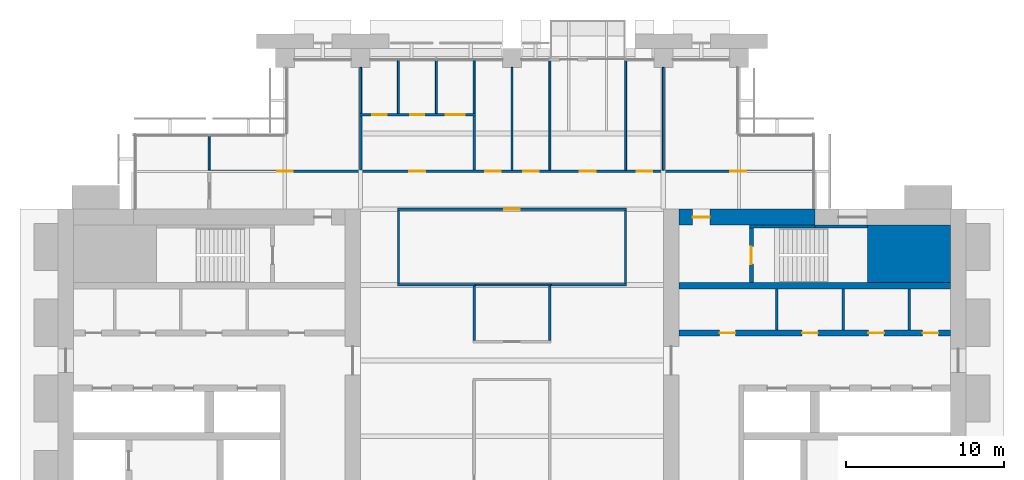
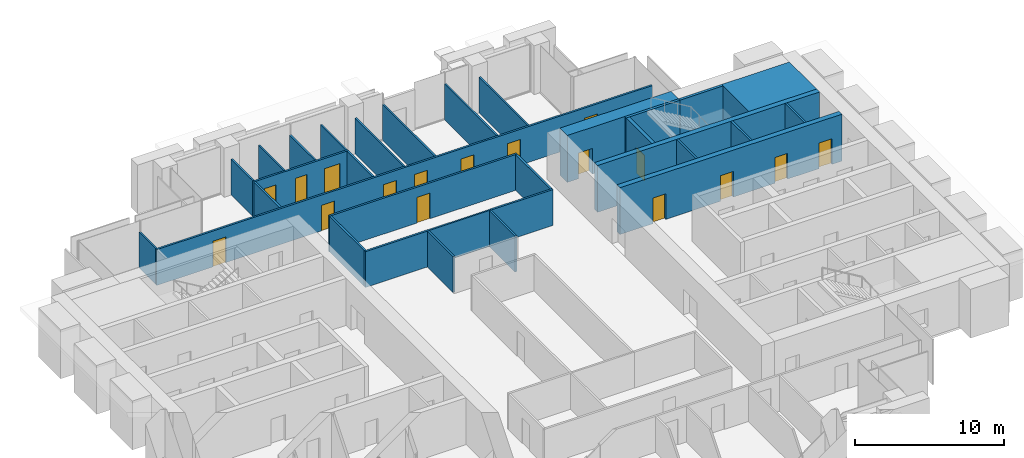
# One storey, part 12 of 15: 31 walls, 17 doors, 17 openings.
"""IFC4 building model written with IfcOpenShell, lengths in metres."""

from ifc_helpers import new_model, si_unit, direction, frame, frame_2d, origin, place, context, subcontext, project, spatial, rectangle, extrude, material, layer, layer_set, type_object, element, fill, save


model = new_model("IFC4")

# Units and contexts
model_context = context("Model", 3, precision=1e-05, world=origin(), true_north=direction((0.0, 1.0)))
body_context = subcontext(model_context, "Body", "Model", "MODEL_VIEW")
ifc_project = project(units=[si_unit("LENGTHUNIT", "METRE"), si_unit("AREAUNIT", "SQUARE_METRE"), si_unit("VOLUMEUNIT", "CUBIC_METRE"), si_unit("PLANEANGLEUNIT", "RADIAN"), si_unit("MASSUNIT", "GRAM", prefix="KILO")], contexts=[model_context])

# Site, building, storey
site_placement = place(None, origin())
site = spatial("IfcSite", under=ifc_project, at=site_placement, CompositionType="ELEMENT")
building_placement = place(site_placement, origin())
building = spatial("IfcBuilding", under=site, at=building_placement, Name="Baori Bourse Tower", CompositionType="ELEMENT")
storey_placement = place(building_placement, frame((0.0, 0.0, 164.10009765625)))
storey = spatial("IfcBuildingStorey", under=building, at=storey_placement, Name="L36", CompositionType="ELEMENT", Elevation=164.10009765625)

# Walls
ifc_material_1 = material(Name="Concrete f'c 60 MPa", Category="concrete")
wall_type_1 = type_object("IfcWallType", Name="Core corner block f'c 60", PredefinedType="SHEAR", material=ifc_material_1)
wall_1_placement = place(storey_placement, frame((51.35009765625, 35.574951171875, 0.0), z_axis=(0.0, 0.0, 1.0), x_axis=(1.0, 0.0, 0.0)))
element("IfcWall", 1, at=wall_1_placement, inside=storey, type_object=wall_type_1, Name="Core wall E27", PredefinedType="SHEAR", context=body_context, shape_type="SweptSolid", body=[
    extrude(rectangle(XDim=5.25, YDim=3.64990234375, at=frame_2d((2.625, 0.0))), origin(), (0.0, 0.0, 1.0), 3.83984375),
])
ifc_material_2 = material(Name="Blockwork partition", Category="masonry")
ifc_layer_1 = layer(ifc_material_2, 0.14990234375)
ifc_layer_set_1 = layer_set([ifc_layer_1], Name="Core partition 150")
wall_type_2 = type_object("IfcWallType", Name="Core partition 150", PredefinedType="PARTITIONING", material=ifc_layer_set_1)
for number, where, z_axis, x_axis, name in (
    (2, (54.0, 30.75, 0.0), (0.0, 0.0, 1.0), (0.0, 1.0, 0.0), "Partition wall E23"),
    (3, (49.800048828125, 30.75, 0.0), (0.0, 0.0, 1.0), (0.0, 1.0, 0.0), "Partition wall E24"),
    (4, (45.60009765625, 30.75, 0.0), (0.0, 0.0, 1.0), (0.0, 1.0, 0.0), "Partition wall E25"),
):
    element("IfcWall", number, at=place(storey_placement, frame(where, z_axis=z_axis, x_axis=x_axis)), inside=storey, type_object=wall_type_2, Name=name, PredefinedType="PARTITIONING", context=body_context, shape_type="SweptSolid", body=[
        extrude(rectangle(XDim=2.60009765625, YDim=0.14990234375, at=frame_2d((1.300048828125, 0.0))), origin(), (0.0, 0.0, 1.0), 3.83984375),
    ])

# Wall, opening, door
ifc_material_3 = material(Name="Concrete f'c 60 MPa", Category="concrete")
ifc_layer_2 = layer(ifc_material_3, 1.0)
ifc_layer_set_2 = layer_set([ifc_layer_2], Name="Core wall 1000 f'c 60")
wall_type_3 = type_object("IfcWallType", Name="Core wall 1000 f'c 60", PredefinedType="SHEAR", material=ifc_layer_set_2)
wall_2_placement = place(storey_placement, frame((39.39990234375, 37.89990234375, 0.0), z_axis=(0.0, 0.0, 1.0), x_axis=(1.0, 0.0, 0.0)))
wall_2 = element("IfcWall", 5, at=wall_2_placement, inside=storey, type_object=wall_type_3, Name="Core wall E32", PredefinedType="SHEAR", context=body_context, shape_type="SweptSolid", body=[
    extrude(rectangle(XDim=8.60009765625, YDim=1.0, at=frame_2d((4.300048828125, 0.0))), origin(), (0.0, 0.0, 1.0), 3.83984375),
])
opening_1_placement = place(wall_2_placement, frame((0.85009765625, 0.0, 0.0)))
opening_1 = element("IfcOpeningElement", 6, at=opening_1_placement, cuts=wall_2, Name="Opening L36-D204", PredefinedType="OPENING", context=body_context, shape_type="SweptSolid", body=[
    extrude(rectangle(XDim=1.10009765625, YDim=2.10009765625, at=frame_2d((0.550048828125, 1.050048828125))), frame((0.0, 0.510009765625, 0.0), z_axis=(0.0, -1.0, 0.0), x_axis=(1.0, 0.0, 0.0)), (0.0, 0.0, 1.0), 1.02001953125),
])
ifc_material_4 = material(Name="Painted steel door", Category="steel")
door_type_1 = type_object("IfcDoorType", Name="Stair door 1100", OperationType="SINGLE_SWING_LEFT", PredefinedType="DOOR", material=ifc_material_4)
door_1_placement = place(opening_1_placement, origin())
door_1 = element("IfcDoor", 7, at=door_1_placement, inside=storey, type_object=door_type_1, Name="Stair vestibule door B E L36", OperationType="SINGLE_SWING_LEFT", OverallHeight=2.10009765625, OverallWidth=1.10009765625, PredefinedType="DOOR", context=body_context, shape_type="SweptSolid", body=[
    extrude(rectangle(XDim=1.10009765625, YDim=2.10009765625, at=frame_2d((0.550048828125, 1.050048828125))), frame((0.0, 0.02490234375, 0.0), z_axis=(0.0, -1.0, 0.0), x_axis=(1.0, 0.0, 0.0)), (0.0, 0.0, 1.0), 0.050048828125),
])
fill(opening_1, door_1)

# Walls
ifc_material_5 = material(Name="Gypsum board partition")
ifc_layer_3 = layer(ifc_material_5, 0.14990234375)
ifc_layer_set_3 = layer_set([ifc_layer_3], Name="Corridor partition 150")
wall_type_4 = type_object("IfcWallType", Name="Corridor partition 150", PredefinedType="PARTITIONING", material=ifc_layer_set_3)
wall_3_placement = place(storey_placement, frame((21.52490234375, 33.60009765625, 0.0), z_axis=(0.0, 0.0, 1.0), x_axis=(1.0, 0.0, 0.0)))
element("IfcWall", 8, at=wall_3_placement, inside=storey, type_object=wall_type_4, Name="Partition", PredefinedType="PARTITIONING", context=body_context, shape_type="SweptSolid", body=[
    extrude(rectangle(XDim=4.9501953125, YDim=0.14990234375, at=frame_2d((2.47509765625, 0.0))), origin(), (0.0, 0.0, 1.0), 2.935546875),
])
wall_4_placement = place(storey_placement, frame((31.27490234375, 33.60009765625, 0.0), z_axis=(0.0, 0.0, 1.0), x_axis=(1.0, 0.0, 0.0)))
element("IfcWall", 9, at=wall_4_placement, inside=storey, type_object=wall_type_4, Name="Partition", PredefinedType="PARTITIONING", context=body_context, shape_type="SweptSolid", body=[
    extrude(rectangle(XDim=4.800048828125, YDim=0.14990234375, at=frame_2d((2.39990234375, 0.0))), origin(), (0.0, 0.0, 1.0), 2.935546875),
])

# Wall, opening, door
wall_5_placement = place(storey_placement, frame((21.52490234375, 38.39990234375, 0.0), z_axis=(0.0, 0.0, 1.0), x_axis=(1.0, 0.0, 0.0)))
wall_5 = element("IfcWall", 10, at=wall_5_placement, inside=storey, type_object=wall_type_4, Name="Partition", PredefinedType="PARTITIONING", context=body_context, shape_type="SweptSolid", body=[
    extrude(rectangle(XDim=14.550048828125, YDim=0.14990234375, at=frame_2d((7.27490234375, 0.0))), origin(), (0.0, 0.0, 1.0), 2.935546875),
])
opening_2_placement = place(wall_5_placement, frame((6.77490234375, 0.0, 0.0)))
opening_2 = element("IfcOpeningElement", 11, at=opening_2_placement, cuts=wall_5, Name="Opening L36-D09", PredefinedType="OPENING", context=body_context, shape_type="SweptSolid", body=[
    extrude(rectangle(XDim=1.0, YDim=2.10009765625, at=frame_2d((0.5, 1.050048828125))), frame((0.0, 0.0849609375, 0.0), z_axis=(0.0, -1.0, 0.0), x_axis=(1.0, 0.0, 0.0)), (0.0, 0.0, 1.0), 0.169921875),
])
ifc_material_6 = material(Name="Timber door leaf", Category="wood")
door_type_2 = type_object("IfcDoorType", Name="Door 1000 x 2100", OperationType="SINGLE_SWING_LEFT", PredefinedType="DOOR", material=ifc_material_6)
door_2_placement = place(opening_2_placement, origin())
door_2 = element("IfcDoor", 12, at=door_2_placement, inside=storey, type_object=door_type_2, Name="Door", OperationType="SINGLE_SWING_LEFT", OverallHeight=2.10009765625, OverallWidth=1.0, PredefinedType="DOOR", context=body_context, shape_type="SweptSolid", body=[
    extrude(rectangle(XDim=1.0, YDim=2.10009765625, at=frame_2d((0.5, 1.050048828125))), frame((0.0, 0.02490234375, 0.0), z_axis=(0.0, -1.0, 0.0), x_axis=(1.0, 0.0, 0.0)), (0.0, 0.0, 1.0), 0.050048828125),
])
fill(opening_2, door_2)

# Wall, openings, doors
wall_6_placement = place(storey_placement, frame((9.52490234375, 40.800048828125, 0.0), z_axis=(0.0, 0.0, 1.0), x_axis=(1.0, 0.0, 0.0)))
wall_6 = element("IfcWall", 13, at=wall_6_placement, inside=storey, type_object=wall_type_4, Name="Partition", PredefinedType="PARTITIONING", context=body_context, shape_type="SweptSolid", body=[
    extrude(rectangle(XDim=38.375, YDim=0.14990234375, at=frame_2d((19.1875, 0.0))), origin(), (0.0, 0.0, 1.0), 2.935546875),
])
opening_3_placement = place(wall_6_placement, frame((4.375, 0.0, 0.0)))
opening_3 = element("IfcOpeningElement", 14, at=opening_3_placement, cuts=wall_6, Name="Opening L36-D10", PredefinedType="OPENING", context=body_context, shape_type="SweptSolid", body=[
    extrude(rectangle(XDim=1.0, YDim=2.10009765625, at=frame_2d((0.5, 1.050048828125))), frame((0.0, 0.0849609375, 0.0), z_axis=(0.0, -1.0, 0.0), x_axis=(1.0, 0.0, 0.0)), (0.0, 0.0, 1.0), 0.169921875),
])
opening_4_placement = place(wall_6_placement, frame((12.77490234375, 0.0, 0.0)))
opening_4 = element("IfcOpeningElement", 15, at=opening_4_placement, cuts=wall_6, Name="Opening L36-D11", PredefinedType="OPENING", context=body_context, shape_type="SweptSolid", body=[
    extrude(rectangle(XDim=1.0, YDim=2.10009765625, at=frame_2d((0.5, 1.050048828125))), frame((0.0, 0.0849609375, 0.0), z_axis=(0.0, -1.0, 0.0), x_axis=(1.0, 0.0, 0.0)), (0.0, 0.0, 1.0), 0.169921875),
])
opening_5_placement = place(wall_6_placement, frame((17.574951171875, 0.0, 0.0)))
opening_5 = element("IfcOpeningElement", 16, at=opening_5_placement, cuts=wall_6, Name="Opening L36-D12", PredefinedType="OPENING", context=body_context, shape_type="SweptSolid", body=[
    extrude(rectangle(XDim=1.0, YDim=2.10009765625, at=frame_2d((0.5, 1.050048828125))), frame((0.0, 0.0849609375, 0.0), z_axis=(0.0, -1.0, 0.0), x_axis=(1.0, 0.0, 0.0)), (0.0, 0.0, 1.0), 0.169921875),
])
opening_6_placement = place(wall_6_placement, frame((19.97509765625, 0.0, 0.0)))
opening_6 = element("IfcOpeningElement", 17, at=opening_6_placement, cuts=wall_6, Name="Opening L36-D13", PredefinedType="OPENING", context=body_context, shape_type="SweptSolid", body=[
    extrude(rectangle(XDim=1.0, YDim=2.10009765625, at=frame_2d((0.5, 1.050048828125))), frame((0.0, 0.0849609375, 0.0), z_axis=(0.0, -1.0, 0.0), x_axis=(1.0, 0.0, 0.0)), (0.0, 0.0, 1.0), 0.169921875),
])
opening_7_placement = place(wall_6_placement, frame((23.574951171875, 0.0, 0.0)))
opening_7 = element("IfcOpeningElement", 18, at=opening_7_placement, cuts=wall_6, Name="Opening L36-D14", PredefinedType="OPENING", context=body_context, shape_type="SweptSolid", body=[
    extrude(rectangle(XDim=1.0, YDim=2.10009765625, at=frame_2d((0.5, 1.050048828125))), frame((0.0, 0.0849609375, 0.0), z_axis=(0.0, -1.0, 0.0), x_axis=(1.0, 0.0, 0.0)), (0.0, 0.0, 1.0), 0.169921875),
])
opening_8_placement = place(wall_6_placement, frame((27.175048828125, 0.0, 0.0)))
opening_8 = element("IfcOpeningElement", 19, at=opening_8_placement, cuts=wall_6, Name="Opening L36-D15", PredefinedType="OPENING", context=body_context, shape_type="SweptSolid", body=[
    extrude(rectangle(XDim=1.0, YDim=2.10009765625, at=frame_2d((0.5, 1.050048828125))), frame((0.0, 0.0849609375, 0.0), z_axis=(0.0, -1.0, 0.0), x_axis=(1.0, 0.0, 0.0)), (0.0, 0.0, 1.0), 0.169921875),
])
opening_9_placement = place(wall_6_placement, frame((33.125, 0.0, 0.0)))
opening_9 = element("IfcOpeningElement", 20, at=opening_9_placement, cuts=wall_6, Name="Opening L36-D16", PredefinedType="OPENING", context=body_context, shape_type="SweptSolid", body=[
    extrude(rectangle(XDim=1.0, YDim=2.10009765625, at=frame_2d((0.5, 1.050048828125))), frame((0.0, 0.0849609375, 0.0), z_axis=(0.0, -1.0, 0.0), x_axis=(1.0, 0.0, 0.0)), (0.0, 0.0, 1.0), 0.169921875),
])
door_3_placement = place(opening_3_placement, origin())
door_3 = element("IfcDoor", 21, at=door_3_placement, inside=storey, type_object=door_type_2, Name="Door", OperationType="SINGLE_SWING_RIGHT", OverallHeight=2.10009765625, OverallWidth=1.0, PredefinedType="DOOR", context=body_context, shape_type="SweptSolid", body=[
    extrude(rectangle(XDim=1.0, YDim=2.10009765625, at=frame_2d((0.5, 1.050048828125))), frame((0.0, 0.02490234375, 0.0), z_axis=(0.0, -1.0, 0.0), x_axis=(1.0, 0.0, 0.0)), (0.0, 0.0, 1.0), 0.050048828125),
])
fill(opening_3, door_3)
door_4_placement = place(opening_4_placement, origin())
door_4 = element("IfcDoor", 22, at=door_4_placement, inside=storey, type_object=door_type_2, Name="Door", OperationType="SINGLE_SWING_LEFT", OverallHeight=2.10009765625, OverallWidth=1.0, PredefinedType="DOOR", context=body_context, shape_type="SweptSolid", body=[
    extrude(rectangle(XDim=1.0, YDim=2.10009765625, at=frame_2d((0.5, 1.050048828125))), frame((0.0, 0.02490234375, 0.0), z_axis=(0.0, -1.0, 0.0), x_axis=(1.0, 0.0, 0.0)), (0.0, 0.0, 1.0), 0.050048828125),
])
fill(opening_4, door_4)
door_5_placement = place(opening_5_placement, origin())
door_5 = element("IfcDoor", 23, at=door_5_placement, inside=storey, type_object=door_type_2, Name="Door", OperationType="SINGLE_SWING_RIGHT", OverallHeight=2.10009765625, OverallWidth=1.0, PredefinedType="DOOR", context=body_context, shape_type="SweptSolid", body=[
    extrude(rectangle(XDim=1.0, YDim=2.10009765625, at=frame_2d((0.5, 1.050048828125))), frame((0.0, 0.02490234375, 0.0), z_axis=(0.0, -1.0, 0.0), x_axis=(1.0, 0.0, 0.0)), (0.0, 0.0, 1.0), 0.050048828125),
])
fill(opening_5, door_5)
door_6_placement = place(opening_6_placement, origin())
door_6 = element("IfcDoor", 24, at=door_6_placement, inside=storey, type_object=door_type_2, Name="Door", OperationType="SINGLE_SWING_LEFT", OverallHeight=2.10009765625, OverallWidth=1.0, PredefinedType="DOOR", context=body_context, shape_type="SweptSolid", body=[
    extrude(rectangle(XDim=1.0, YDim=2.10009765625, at=frame_2d((0.5, 1.050048828125))), frame((0.0, 0.02490234375, 0.0), z_axis=(0.0, -1.0, 0.0), x_axis=(1.0, 0.0, 0.0)), (0.0, 0.0, 1.0), 0.050048828125),
])
fill(opening_6, door_6)
door_7_placement = place(opening_7_placement, origin())
door_7 = element("IfcDoor", 25, at=door_7_placement, inside=storey, type_object=door_type_2, Name="Door", OperationType="SINGLE_SWING_LEFT", OverallHeight=2.10009765625, OverallWidth=1.0, PredefinedType="DOOR", context=body_context, shape_type="SweptSolid", body=[
    extrude(rectangle(XDim=1.0, YDim=2.10009765625, at=frame_2d((0.5, 1.050048828125))), frame((0.0, 0.02490234375, 0.0), z_axis=(0.0, -1.0, 0.0), x_axis=(1.0, 0.0, 0.0)), (0.0, 0.0, 1.0), 0.050048828125),
])
fill(opening_7, door_7)
door_8_placement = place(opening_8_placement, origin())
door_8 = element("IfcDoor", 26, at=door_8_placement, inside=storey, type_object=door_type_2, Name="Door", OperationType="SINGLE_SWING_LEFT", OverallHeight=2.10009765625, OverallWidth=1.0, PredefinedType="DOOR", context=body_context, shape_type="SweptSolid", body=[
    extrude(rectangle(XDim=1.0, YDim=2.10009765625, at=frame_2d((0.5, 1.050048828125))), frame((0.0, 0.02490234375, 0.0), z_axis=(0.0, -1.0, 0.0), x_axis=(1.0, 0.0, 0.0)), (0.0, 0.0, 1.0), 0.050048828125),
])
fill(opening_8, door_8)
door_9_placement = place(opening_9_placement, origin())
door_9 = element("IfcDoor", 27, at=door_9_placement, inside=storey, type_object=door_type_2, Name="Door", OperationType="SINGLE_SWING_LEFT", OverallHeight=2.10009765625, OverallWidth=1.0, PredefinedType="DOOR", context=body_context, shape_type="SweptSolid", body=[
    extrude(rectangle(XDim=1.0, YDim=2.10009765625, at=frame_2d((0.5, 1.050048828125))), frame((0.0, 0.02490234375, 0.0), z_axis=(0.0, -1.0, 0.0), x_axis=(1.0, 0.0, 0.0)), (0.0, 0.0, 1.0), 0.050048828125),
])
fill(opening_9, door_9)

wall_7_placement = place(storey_placement, frame((19.125, 44.39990234375, 0.0), z_axis=(0.0, 0.0, 1.0), x_axis=(1.0, 0.0, 0.0)))
wall_7 = element("IfcWall", 28, at=wall_7_placement, inside=storey, type_object=wall_type_4, Name="Partition", PredefinedType="PARTITIONING", context=body_context, shape_type="SweptSolid", body=[
    extrude(rectangle(XDim=7.35009765625, YDim=0.14990234375, at=frame_2d((3.675048828125, 0.0))), origin(), (0.0, 0.0, 1.0), 2.935546875),
])
opening_10_placement = place(wall_7_placement, frame((0.824951171875, 0.0, 0.0)))
opening_10 = element("IfcOpeningElement", 29, at=opening_10_placement, cuts=wall_7, Name="Opening L36-D17", PredefinedType="OPENING", context=body_context, shape_type="SweptSolid", body=[
    extrude(rectangle(XDim=0.89990234375, YDim=2.10009765625, at=frame_2d((0.449951171875, 1.050048828125))), frame((0.0, 0.0849609375, 0.0), z_axis=(0.0, -1.0, 0.0), x_axis=(1.0, 0.0, 0.0)), (0.0, 0.0, 1.0), 0.169921875),
])
opening_11_placement = place(wall_7_placement, frame((3.22509765625, 0.0, 0.0)))
opening_11 = element("IfcOpeningElement", 30, at=opening_11_placement, cuts=wall_7, Name="Opening L36-D18", PredefinedType="OPENING", context=body_context, shape_type="SweptSolid", body=[
    extrude(rectangle(XDim=0.89990234375, YDim=2.10009765625, at=frame_2d((0.449951171875, 1.050048828125))), frame((0.0, 0.0849609375, 0.0), z_axis=(0.0, -1.0, 0.0), x_axis=(1.0, 0.0, 0.0)), (0.0, 0.0, 1.0), 0.169921875),
])
opening_12_placement = place(wall_7_placement, frame((5.47509765625, 0.0, 0.0)))
opening_12 = element("IfcOpeningElement", 31, at=opening_12_placement, cuts=wall_7, Name="Opening L36-D19", PredefinedType="OPENING", context=body_context, shape_type="SweptSolid", body=[
    extrude(rectangle(XDim=1.199951171875, YDim=2.10009765625, at=frame_2d((0.60009765625, 1.050048828125))), frame((0.0, 0.0849609375, 0.0), z_axis=(0.0, -1.0, 0.0), x_axis=(1.0, 0.0, 0.0)), (0.0, 0.0, 1.0), 0.169921875),
])
ifc_material_7 = material(Name="Timber door leaf", Category="wood")
door_type_3 = type_object("IfcDoorType", Name="Door 1200 x 2100", OperationType="SINGLE_SWING_LEFT", PredefinedType="DOOR", material=ifc_material_7)
door_10_placement = place(opening_12_placement, origin())
door_10 = element("IfcDoor", 32, at=door_10_placement, inside=storey, type_object=door_type_3, Name="Door", OperationType="SINGLE_SWING_LEFT", OverallHeight=2.10009765625, OverallWidth=1.199951171875, PredefinedType="DOOR", context=body_context, shape_type="SweptSolid", body=[
    extrude(rectangle(XDim=1.199951171875, YDim=2.10009765625, at=frame_2d((0.60009765625, 1.050048828125))), frame((0.0, 0.02490234375, 0.0), z_axis=(0.0, -1.0, 0.0), x_axis=(1.0, 0.0, 0.0)), (0.0, 0.0, 1.0), 0.050048828125),
])
fill(opening_12, door_10)
ifc_material_8 = material(Name="Timber door leaf", Category="wood")
door_type_4 = type_object("IfcDoorType", Name="Door 900 x 2100", OperationType="SINGLE_SWING_LEFT", PredefinedType="DOOR", material=ifc_material_8)
door_11_placement = place(opening_10_placement, origin())
door_11 = element("IfcDoor", 33, at=door_11_placement, inside=storey, type_object=door_type_4, Name="Door", OperationType="SINGLE_SWING_RIGHT", OverallHeight=2.10009765625, OverallWidth=0.89990234375, PredefinedType="DOOR", context=body_context, shape_type="SweptSolid", body=[
    extrude(rectangle(XDim=0.89990234375, YDim=2.10009765625, at=frame_2d((0.449951171875, 1.050048828125))), frame((0.0, 0.02490234375, 0.0), z_axis=(0.0, -1.0, 0.0), x_axis=(1.0, 0.0, 0.0)), (0.0, 0.0, 1.0), 0.050048828125),
])
fill(opening_10, door_11)
door_12_placement = place(opening_11_placement, origin())
door_12 = element("IfcDoor", 34, at=door_12_placement, inside=storey, type_object=door_type_4, Name="Door", OperationType="SINGLE_SWING_RIGHT", OverallHeight=2.10009765625, OverallWidth=0.89990234375, PredefinedType="DOOR", context=body_context, shape_type="SweptSolid", body=[
    extrude(rectangle(XDim=0.89990234375, YDim=2.10009765625, at=frame_2d((0.449951171875, 1.050048828125))), frame((0.0, 0.02490234375, 0.0), z_axis=(0.0, -1.0, 0.0), x_axis=(1.0, 0.0, 0.0)), (0.0, 0.0, 1.0), 0.050048828125),
])
fill(opening_11, door_12)

# Walls
wall_8_placement = place(storey_placement, frame((19.199951171875, 40.875, 0.0), z_axis=(0.0, 0.0, 1.0), x_axis=(0.0, 1.0, 0.0)))
element("IfcWall", 35, at=wall_8_placement, inside=storey, type_object=wall_type_4, Name="Partition", PredefinedType="PARTITIONING", context=body_context, shape_type="SweptSolid", body=[
    extrude(rectangle(XDim=3.449951171875, YDim=0.14990234375, at=frame_2d((1.72509765625, 0.0))), origin(), (0.0, 0.0, 1.0), 2.935546875),
])
wall_9_placement = place(storey_placement, frame((21.60009765625, 33.675048828125, 0.0), z_axis=(0.0, 0.0, 1.0), x_axis=(0.0, 1.0, 0.0)))
element("IfcWall", 36, at=wall_9_placement, inside=storey, type_object=wall_type_4, Name="Partition", PredefinedType="PARTITIONING", context=body_context, shape_type="SweptSolid", body=[
    extrude(rectangle(XDim=4.64990234375, YDim=0.14990234375, at=frame_2d((2.324951171875, 0.0))), origin(), (0.0, 0.0, 1.0), 2.935546875),
])
for number, where, z_axis, x_axis, name in (
    (37, (26.39990234375, 30.074951171875, 0.0), (0.0, 0.0, 1.0), (0.0, 1.0, 0.0), "Partition"),
    (38, (26.39990234375, 40.875, 0.0), (0.0, 0.0, 1.0), (0.0, 1.0, 0.0), "Partition"),
    (39, (31.199951171875, 30.074951171875, 0.0), (0.0, 0.0, 1.0), (0.0, 1.0, 0.0), "Partition"),
):
    element("IfcWall", number, at=place(storey_placement, frame(where, z_axis=z_axis, x_axis=x_axis)), inside=storey, type_object=wall_type_4, Name=name, PredefinedType="PARTITIONING", context=body_context, shape_type="SweptSolid", body=[
        extrude(rectangle(XDim=3.449951171875, YDim=0.14990234375, at=frame_2d((1.72509765625, 0.0))), origin(), (0.0, 0.0, 1.0), 2.935546875),
    ])
wall_10_placement = place(storey_placement, frame((36.0, 33.675048828125, 0.0), z_axis=(0.0, 0.0, 1.0), x_axis=(0.0, 1.0, 0.0)))
element("IfcWall", 40, at=wall_10_placement, inside=storey, type_object=wall_type_4, Name="Partition", PredefinedType="PARTITIONING", context=body_context, shape_type="SweptSolid", body=[
    extrude(rectangle(XDim=4.64990234375, YDim=0.14990234375, at=frame_2d((2.324951171875, 0.0))), origin(), (0.0, 0.0, 1.0), 2.935546875),
])
ifc_material_9 = material(Name="Gypsum board partition")
ifc_layer_4 = layer(ifc_material_9, 0.125)
ifc_layer_set_4 = layer_set([ifc_layer_4], Name="Partition 125")
wall_type_5 = type_object("IfcWallType", Name="Partition 125", PredefinedType="PARTITIONING", material=ifc_layer_set_4)
wall_11_placement = place(storey_placement, frame((26.47509765625, 33.60009765625, 0.0), z_axis=(0.0, 0.0, 1.0), x_axis=(1.0, 0.0, 0.0)))
element("IfcWall", 41, at=wall_11_placement, inside=storey, type_object=wall_type_5, Name="Partition", PredefinedType="PARTITIONING", context=body_context, shape_type="SweptSolid", body=[
    extrude(rectangle(XDim=4.7998046875, YDim=0.125, at=frame_2d((2.39990234375, 0.0))), origin(), (0.0, 0.0, 1.0), 2.935546875),
])
wall_12_placement = place(storey_placement, frame((9.60009765625, 40.875, 0.0), z_axis=(0.0, 0.0, 1.0), x_axis=(0.0, 1.0, 0.0)))
element("IfcWall", 42, at=wall_12_placement, inside=storey, type_object=wall_type_5, Name="Partition", PredefinedType="PARTITIONING", context=body_context, shape_type="SweptSolid", body=[
    extrude(rectangle(XDim=2.22509765625, YDim=0.125, at=frame_2d((1.112548828125, 0.0))), origin(), (0.0, 0.0, 1.0), 2.935546875),
])
wall_13_placement = place(storey_placement, frame((19.199951171875, 44.47509765625, 0.0), z_axis=(0.0, 0.0, 1.0), x_axis=(0.0, 1.0, 0.0)))
element("IfcWall", 43, at=wall_13_placement, inside=storey, type_object=wall_type_5, Name="Partition", PredefinedType="PARTITIONING", context=body_context, shape_type="SweptSolid", body=[
    extrude(rectangle(XDim=2.9248046875, YDim=0.125, at=frame_2d((1.46240234375, 0.0))), origin(), (0.0, 0.0, 1.0), 2.935546875),
])
for number, where, z_axis, x_axis, name in (
    (44, (21.60009765625, 44.47509765625, 0.0), (0.0, 0.0, 1.0), (0.0, 1.0, 0.0), "Partition"),
    (45, (24.0, 44.47509765625, 0.0), (0.0, 0.0, 1.0), (0.0, 1.0, 0.0), "Partition"),
    (46, (26.39990234375, 44.47509765625, 0.0), (0.0, 0.0, 1.0), (0.0, 1.0, 0.0), "Partition"),
):
    element("IfcWall", number, at=place(storey_placement, frame(where, z_axis=z_axis, x_axis=x_axis)), inside=storey, type_object=wall_type_5, Name=name, PredefinedType="PARTITIONING", context=body_context, shape_type="SweptSolid", body=[
        extrude(rectangle(XDim=3.4248046875, YDim=0.125, at=frame_2d((1.71240234375, 0.0))), origin(), (0.0, 0.0, 1.0), 2.935546875),
    ])
wall_14_placement = place(storey_placement, frame((28.800048828125, 40.875, 0.0), z_axis=(0.0, 0.0, 1.0), x_axis=(0.0, 1.0, 0.0)))
element("IfcWall", 47, at=wall_14_placement, inside=storey, type_object=wall_type_5, Name="Partition", PredefinedType="PARTITIONING", context=body_context, shape_type="SweptSolid", body=[
    extrude(rectangle(XDim=6.52490234375, YDim=0.125, at=frame_2d((3.262451171875, 0.0))), origin(), (0.0, 0.0, 1.0), 2.935546875),
])
for number, where, z_axis, x_axis, name in (
    (48, (31.199951171875, 40.875, 0.0), (0.0, 0.0, 1.0), (0.0, 1.0, 0.0), "Partition"),
    (49, (36.0, 40.875, 0.0), (0.0, 0.0, 1.0), (0.0, 1.0, 0.0), "Partition"),
):
    element("IfcWall", number, at=place(storey_placement, frame(where, z_axis=z_axis, x_axis=x_axis)), inside=storey, type_object=wall_type_5, Name=name, PredefinedType="PARTITIONING", context=body_context, shape_type="SweptSolid", body=[
        extrude(rectangle(XDim=7.02490234375, YDim=0.125, at=frame_2d((3.512451171875, 0.0))), origin(), (0.0, 0.0, 1.0), 2.935546875),
    ])
wall_15_placement = place(storey_placement, frame((38.39990234375, 40.875, 0.0), z_axis=(0.0, 0.0, 1.0), x_axis=(0.0, 1.0, 0.0)))
element("IfcWall", 50, at=wall_15_placement, inside=storey, type_object=wall_type_5, Name="Partition", PredefinedType="PARTITIONING", context=body_context, shape_type="SweptSolid", body=[
    extrude(rectangle(XDim=6.52490234375, YDim=0.125, at=frame_2d((3.262451171875, 0.0))), origin(), (0.0, 0.0, 1.0), 2.935546875),
])
ifc_material_10 = material(Name="Concrete f'c 60 MPa", Category="concrete")
ifc_layer_5 = layer(ifc_material_10, 0.199951171875)
ifc_layer_set_5 = layer_set([ifc_layer_5], Name="Shaft wall 200 f'c 60")
wall_type_6 = type_object("IfcWallType", Name="Shaft wall 200 f'c 60", PredefinedType="SHEAR", material=ifc_layer_set_5)
wall_16_placement = place(storey_placement, frame((48.0, 37.300048828125, 0.0), z_axis=(0.0, 0.0, 1.0), x_axis=(1.0, 0.0, 0.0)))
element("IfcWall", 51, at=wall_16_placement, inside=storey, type_object=wall_type_6, Name="Core wall E29", PredefinedType="SHEAR", context=body_context, shape_type="SweptSolid", body=[
    extrude(rectangle(XDim=3.35009765625, YDim=0.199951171875, at=frame_2d((1.675048828125, 0.0))), origin(), (0.0, 0.0, 1.0), 3.83984375),
])
wall_17_placement = place(storey_placement, frame((43.85009765625, 37.300048828125, 0.0), z_axis=(0.0, 0.0, 1.0), x_axis=(1.0, 0.0, 0.0)))
element("IfcWall", 52, at=wall_17_placement, inside=storey, type_object=wall_type_6, Name="Core wall E30", PredefinedType="SHEAR", context=body_context, shape_type="SweptSolid", body=[
    extrude(rectangle(XDim=4.14990234375, YDim=0.199951171875, at=frame_2d((2.074951171875, 0.0))), origin(), (0.0, 0.0, 1.0), 3.83984375),
])

# Wall, opening, door
ifc_material_11 = material(Name="Concrete f'c 60 MPa", Category="concrete")
ifc_layer_6 = layer(ifc_material_11, 0.25)
ifc_layer_set_6 = layer_set([ifc_layer_6], Name="Shaft wall 250 f'c 60")
wall_type_7 = type_object("IfcWallType", Name="Shaft wall 250 f'c 60", PredefinedType="SHEAR", material=ifc_layer_set_6)
wall_18_placement = place(storey_placement, frame((43.97509765625, 33.75, 0.0), z_axis=(0.0, 0.0, 1.0), x_axis=(0.0, 1.0, 0.0)))
wall_18 = element("IfcWall", 53, at=wall_18_placement, inside=storey, type_object=wall_type_7, Name="Core wall E28", PredefinedType="SHEAR", context=body_context, shape_type="SweptSolid", body=[
    extrude(rectangle(XDim=3.449951171875, YDim=0.25, at=frame_2d((1.72509765625, 0.0))), origin(), (0.0, 0.0, 1.0), 3.83984375),
])
opening_13_placement = place(wall_18_placement, frame((1.175048828125, 0.0, 0.0)))
opening_13 = element("IfcOpeningElement", 54, at=opening_13_placement, cuts=wall_18, Name="Opening L36-D203", PredefinedType="OPENING", context=body_context, shape_type="SweptSolid", body=[
    extrude(rectangle(XDim=1.10009765625, YDim=2.10009765625, at=frame_2d((0.550048828125, 1.050048828125))), frame((0.0, 0.135009765625, 0.0), z_axis=(0.0, -1.0, 0.0), x_axis=(1.0, 0.0, 0.0)), (0.0, 0.0, 1.0), 0.27001953125),
])
door_13_placement = place(opening_13_placement, origin())
door_13 = element("IfcDoor", 55, at=door_13_placement, inside=storey, type_object=door_type_1, Name="Stair door B E L36", OperationType="SINGLE_SWING_LEFT", OverallHeight=2.10009765625, OverallWidth=1.10009765625, PredefinedType="DOOR", context=body_context, shape_type="SweptSolid", body=[
    extrude(rectangle(XDim=1.10009765625, YDim=2.10009765625, at=frame_2d((0.550048828125, 1.050048828125))), frame((0.0, 0.02490234375, 0.0), z_axis=(0.0, -1.0, 0.0), x_axis=(1.0, 0.0, 0.0)), (0.0, 0.0, 1.0), 0.050048828125),
])
fill(opening_13, door_13)

# Wall, openings, doors
ifc_material_12 = material(Name="Concrete f'c 60 MPa", Category="concrete")
ifc_layer_7 = layer(ifc_material_12, 0.39990234375)
ifc_layer_set_7 = layer_set([ifc_layer_7], Name="Shaft wall 400 f'c 60")
wall_type_8 = type_object("IfcWallType", Name="Shaft wall 400 f'c 60", PredefinedType="SHEAR", material=ifc_layer_set_7)
wall_19_placement = place(storey_placement, frame((39.39990234375, 30.550048828125, 0.0), z_axis=(0.0, 0.0, 1.0), x_axis=(1.0, 0.0, 0.0)))
wall_19 = element("IfcWall", 56, at=wall_19_placement, inside=storey, type_object=wall_type_8, Name="Core wall E22", PredefinedType="SHEAR", context=body_context, shape_type="SweptSolid", body=[
    extrude(rectangle(XDim=17.2001953125, YDim=0.39990234375, at=frame_2d((8.60009765625, 0.0))), origin(), (0.0, 0.0, 1.0), 3.83984375),
])
opening_14_placement = place(wall_19_placement, frame((15.4375, 0.0, 0.0)))
opening_14 = element("IfcOpeningElement", 57, at=opening_14_placement, cuts=wall_19, Name="Opening L36-D209", PredefinedType="OPENING", context=body_context, shape_type="SweptSolid", body=[
    extrude(rectangle(XDim=1.0, YDim=2.10009765625, at=frame_2d((0.5, 1.050048828125))), frame((0.0, 0.2099609375, 0.0), z_axis=(0.0, -1.0, 0.0), x_axis=(1.0, 0.0, 0.0)), (0.0, 0.0, 1.0), 0.419921875),
])
opening_15_placement = place(wall_19_placement, frame((12.0, 0.0, 0.0)))
opening_15 = element("IfcOpeningElement", 58, at=opening_15_placement, cuts=wall_19, Name="Opening L36-D210", PredefinedType="OPENING", context=body_context, shape_type="SweptSolid", body=[
    extrude(rectangle(XDim=1.0, YDim=2.10009765625, at=frame_2d((0.5, 1.050048828125))), frame((0.0, 0.2099609375, 0.0), z_axis=(0.0, -1.0, 0.0), x_axis=(1.0, 0.0, 0.0)), (0.0, 0.0, 1.0), 0.419921875),
])
opening_16_placement = place(wall_19_placement, frame((7.800048828125, 0.0, 0.0)))
opening_16 = element("IfcOpeningElement", 59, at=opening_16_placement, cuts=wall_19, Name="Opening L36-D211", PredefinedType="OPENING", context=body_context, shape_type="SweptSolid", body=[
    extrude(rectangle(XDim=1.0, YDim=2.10009765625, at=frame_2d((0.5, 1.050048828125))), frame((0.0, 0.2099609375, 0.0), z_axis=(0.0, -1.0, 0.0), x_axis=(1.0, 0.0, 0.0)), (0.0, 0.0, 1.0), 0.419921875),
])
opening_17_placement = place(wall_19_placement, frame((2.5625, 0.0, 0.0)))
opening_17 = element("IfcOpeningElement", 60, at=opening_17_placement, cuts=wall_19, Name="Opening L36-D212", PredefinedType="OPENING", context=body_context, shape_type="SweptSolid", body=[
    extrude(rectangle(XDim=1.0, YDim=2.10009765625, at=frame_2d((0.5, 1.050048828125))), frame((0.0, 0.2099609375, 0.0), z_axis=(0.0, -1.0, 0.0), x_axis=(1.0, 0.0, 0.0)), (0.0, 0.0, 1.0), 0.419921875),
])
ifc_material_13 = material(Name="Painted steel door", Category="steel")
door_type_5 = type_object("IfcDoorType", Name="Core door 1000", OperationType="SINGLE_SWING_LEFT", PredefinedType="DOOR", material=ifc_material_13)
door_14_placement = place(opening_15_placement, origin())
door_14 = element("IfcDoor", 61, at=door_14_placement, inside=storey, type_object=door_type_5, Name="Women'S Wc door E L36", OperationType="SINGLE_SWING_LEFT", OverallHeight=2.10009765625, OverallWidth=1.0, PredefinedType="DOOR", context=body_context, shape_type="SweptSolid", body=[
    extrude(rectangle(XDim=1.0, YDim=2.10009765625, at=frame_2d((0.5, 1.050048828125))), frame((0.0, 0.02490234375, 0.0), z_axis=(0.0, -1.0, 0.0), x_axis=(1.0, 0.0, 0.0)), (0.0, 0.0, 1.0), 0.050048828125),
])
fill(opening_15, door_14)
door_15_placement = place(opening_16_placement, origin())
door_15 = element("IfcDoor", 62, at=door_15_placement, inside=storey, type_object=door_type_5, Name="Accessible Wc door E L36", OperationType="SINGLE_SWING_LEFT", OverallHeight=2.10009765625, OverallWidth=1.0, PredefinedType="DOOR", context=body_context, shape_type="SweptSolid", body=[
    extrude(rectangle(XDim=1.0, YDim=2.10009765625, at=frame_2d((0.5, 1.050048828125))), frame((0.0, 0.02490234375, 0.0), z_axis=(0.0, -1.0, 0.0), x_axis=(1.0, 0.0, 0.0)), (0.0, 0.0, 1.0), 0.050048828125),
])
fill(opening_16, door_15)
door_16_placement = place(opening_17_placement, origin())
door_16 = element("IfcDoor", 63, at=door_16_placement, inside=storey, type_object=door_type_5, Name="Men'S Wc door E L36", OperationType="SINGLE_SWING_LEFT", OverallHeight=2.10009765625, OverallWidth=1.0, PredefinedType="DOOR", context=body_context, shape_type="SweptSolid", body=[
    extrude(rectangle(XDim=1.0, YDim=2.10009765625, at=frame_2d((0.5, 1.050048828125))), frame((0.0, 0.02490234375, 0.0), z_axis=(0.0, -1.0, 0.0), x_axis=(1.0, 0.0, 0.0)), (0.0, 0.0, 1.0), 0.050048828125),
])
fill(opening_17, door_16)
ifc_material_14 = material(Name="Painted steel door", Category="steel")
door_type_6 = type_object("IfcDoorType", Name="Plant room door 1000", OperationType="SINGLE_SWING_LEFT", PredefinedType="DOOR", material=ifc_material_14)
door_17_placement = place(opening_14_placement, origin())
door_17 = element("IfcDoor", 64, at=door_17_placement, inside=storey, type_object=door_type_6, Name="Communications Room door E L36", OperationType="SINGLE_SWING_LEFT", OverallHeight=2.10009765625, OverallWidth=1.0, PredefinedType="DOOR", context=body_context, shape_type="SweptSolid", body=[
    extrude(rectangle(XDim=1.0, YDim=2.10009765625, at=frame_2d((0.5, 1.050048828125))), frame((0.0, 0.02490234375, 0.0), z_axis=(0.0, -1.0, 0.0), x_axis=(1.0, 0.0, 0.0)), (0.0, 0.0, 1.0), 0.050048828125),
])
fill(opening_14, door_17)

# Wall
wall_20_placement = place(storey_placement, frame((39.39990234375, 33.550048828125, 0.0), z_axis=(0.0, 0.0, 1.0), x_axis=(1.0, 0.0, 0.0)))
element("IfcWall", 65, at=wall_20_placement, inside=storey, type_object=wall_type_8, Name="Core wall E26", PredefinedType="SHEAR", context=body_context, shape_type="SweptSolid", body=[
    extrude(rectangle(XDim=17.2001953125, YDim=0.39990234375, at=frame_2d((8.60009765625, 0.0))), origin(), (0.0, 0.0, 1.0), 3.83984375),
])

save(model, "model.ifc")
